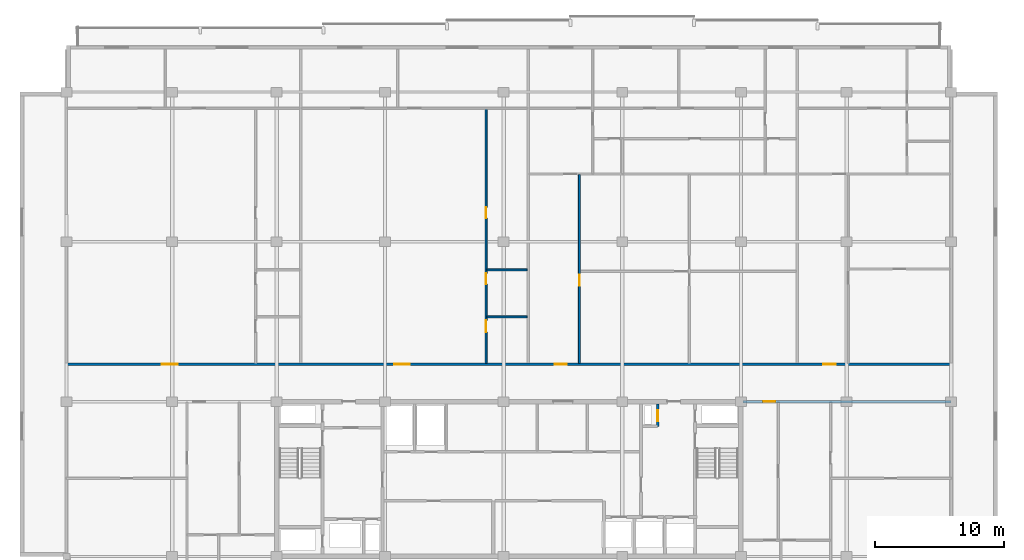
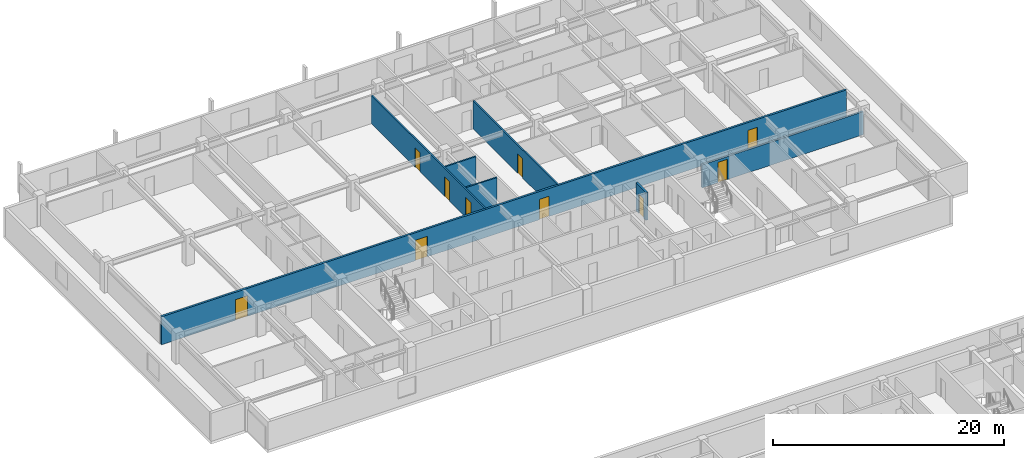
# One storey, part 13 of 22: 10 doors, 7 walls, 10 openings.
"""IFC4 building model written with IfcOpenShell, lengths in metres."""

from ifc_helpers import new_model, si_unit, direction, frame, frame_2d, origin, place, context, subcontext, project, spatial, rectangle, extrude, material, layer, layer_set, type_object, element, fill, save


model = new_model("IFC4")

# Units and contexts
model_context = context("Model", 3, precision=1e-05, world=origin(), true_north=direction((0.0, 1.0)))
body_context = subcontext(model_context, "Body", "Model", "MODEL_VIEW")
ifc_project = project(units=[si_unit("LENGTHUNIT", "METRE"), si_unit("AREAUNIT", "SQUARE_METRE"), si_unit("VOLUMEUNIT", "CUBIC_METRE"), si_unit("PLANEANGLEUNIT", "RADIAN"), si_unit("MASSUNIT", "GRAM", prefix="KILO")], contexts=[model_context])

# Site, building, storey
site_placement = place(None, origin())
site = spatial("IfcSite", under=ifc_project, at=site_placement, CompositionType="ELEMENT")
building_placement = place(site_placement, origin())
building = spatial("IfcBuilding", under=site, at=building_placement, Name="Korimba Cascade Residences", CompositionType="ELEMENT")
storey_placement = place(building_placement, frame((0.0, 0.0, 197.85009765625)))
storey = spatial("IfcBuildingStorey", under=building, at=storey_placement, Name="L57", CompositionType="ELEMENT", Elevation=197.85009765625)

# Wall, opening, door
ifc_material_1 = material(Name="Precast concrete C40/50", Category="concrete")
ifc_layer_1 = layer(ifc_material_1, 0.199951171875)
ifc_layer_set_1 = layer_set([ifc_layer_1], Name="Precast concrete C40/50")
wall_type_1 = type_object("IfcWallType", Name="WAL-IT-200", PredefinedType="PARTITIONING", material=ifc_layer_set_1)
wall_1_placement = place(storey_placement, frame((112.25, 67.199951171875, 0.0), z_axis=(0.0, 0.0, 1.0), x_axis=(1.0, 0.0, 0.0)))
wall_1 = element("IfcWall", 1, at=wall_1_placement, inside=storey, type_object=wall_type_1, Name="L57 Partition Wall WAL-L57-T1-FE-N", PredefinedType="PARTITIONING", context=body_context, shape_type="SweptSolid", body=[
    extrude(rectangle(XDim=16.14990234375, YDim=0.199951171875, at=frame_2d((8.074951171875, 0.0))), origin(), (0.0, 0.0, 1.0), 2.43310546875),
])
opening_1_placement = place(wall_1_placement, frame((1.580078125, 0.0, 0.0)))
opening_1 = element("IfcOpeningElement", 2, at=opening_1_placement, cuts=wall_1, Name="Opening D-UN1", PredefinedType="OPENING", context=body_context, shape_type="SweptSolid", body=[
    extrude(rectangle(XDim=0.949951171875, YDim=2.14990234375, at=frame_2d((0.47509765625, 1.074951171875))), frame((0.0, 0.10986328125, 0.0), z_axis=(0.0, -1.0, 0.0), x_axis=(1.0, 0.0, 0.0)), (0.0, 0.0, 1.0), 0.219970703125),
])
ifc_material_2 = material(Name="Fire-Rated Hardwood Apartment Entrance Door", Category="wood")
door_type_1 = type_object("IfcDoorType", Name="DR-FD60-950", OperationType="NOTDEFINED", PredefinedType="DOOR", material=ifc_material_2)
door_1_placement = place(opening_1_placement, origin())
door_1 = element("IfcDoor", 3, at=door_1_placement, inside=storey, type_object=door_type_1, Name="L57-T1-FE Entrance Door", OperationType="SINGLE_SWING_LEFT", OverallHeight=2.14990234375, OverallWidth=0.949951171875, PredefinedType="DOOR", context=body_context, shape_type="SweptSolid", body=[
    extrude(rectangle(XDim=0.949951171875, YDim=2.14990234375, at=frame_2d((0.47509765625, 1.074951171875))), frame((0.0, 0.02490234375, 0.0), z_axis=(0.0, -1.0, 0.0), x_axis=(1.0, 0.0, 0.0)), (0.0, 0.0, 1.0), 0.050048828125),
])
fill(opening_1, door_1)

# Wall, openings, doors
wall_2_placement = place(storey_placement, frame((59.800048828125, 70.10009765625, 0.0), z_axis=(0.0, 0.0, 1.0), x_axis=(1.0, 0.0, 0.0)))
wall_2 = element("IfcWall", 4, at=wall_2_placement, inside=storey, type_object=wall_type_1, Name="L57 Partition Wall WAL-L57-T1-CORN", PredefinedType="PARTITIONING", context=body_context, shape_type="SweptSolid", body=[
    extrude(rectangle(XDim=68.599853515625, YDim=0.199951171875, at=frame_2d((34.2998046875, 0.0))), origin(), (0.0, 0.0, 1.0), 2.969970703125),
])
opening_2_placement = place(wall_2_placement, frame((7.39404296875, 0.0, 0.0)))
opening_2 = element("IfcOpeningElement", 5, at=opening_2_placement, cuts=wall_2, Name="Opening D-AM1", PredefinedType="OPENING", context=body_context, shape_type="SweptSolid", body=[
    extrude(rectangle(XDim=1.219970703125, YDim=2.179931640625, at=frame_2d((0.60986328125, 1.08984375))), frame((0.0, 0.10986328125, 0.0), z_axis=(0.0, -1.0, 0.0), x_axis=(1.0, 0.0, 0.0)), (0.0, 0.0, 1.0), 0.219970703125),
])
opening_3_placement = place(wall_2_placement, frame((25.414794921875, 0.0, 0.0)))
opening_3 = element("IfcOpeningElement", 6, at=opening_3_placement, cuts=wall_2, Name="Opening D-AM1", PredefinedType="OPENING", context=body_context, shape_type="SweptSolid", body=[
    extrude(rectangle(XDim=1.219970703125, YDim=2.179931640625, at=frame_2d((0.60986328125, 1.08984375))), frame((0.0, 0.10986328125, 0.0), z_axis=(0.0, -1.0, 0.0), x_axis=(1.0, 0.0, 0.0)), (0.0, 0.0, 1.0), 0.219970703125),
])
opening_4_placement = place(wall_2_placement, frame((37.8564453125, 0.0, 0.0)))
opening_4 = element("IfcOpeningElement", 7, at=opening_4_placement, cuts=wall_2, Name="Opening D-UN1", PredefinedType="OPENING", context=body_context, shape_type="SweptSolid", body=[
    extrude(rectangle(XDim=0.949951171875, YDim=2.14990234375, at=frame_2d((0.47509765625, 1.074951171875))), frame((0.0, 0.10986328125, 0.0), z_axis=(0.0, -1.0, 0.0), x_axis=(1.0, 0.0, 0.0)), (0.0, 0.0, 1.0), 0.219970703125),
])
opening_5_placement = place(wall_2_placement, frame((58.697265625, 0.0, 0.0)))
opening_5 = element("IfcOpeningElement", 8, at=opening_5_placement, cuts=wall_2, Name="Opening D-UN1", PredefinedType="OPENING", context=body_context, shape_type="SweptSolid", body=[
    extrude(rectangle(XDim=0.949951171875, YDim=2.14990234375, at=frame_2d((0.47509765625, 1.074951171875))), frame((0.0, 0.10986328125, 0.0), z_axis=(0.0, -1.0, 0.0), x_axis=(1.0, 0.0, 0.0)), (0.0, 0.0, 1.0), 0.219970703125),
])
ifc_material_3 = material(Name="Fire-Rated Glazed Timber Suite Door", Category="wood")
door_type_2 = type_object("IfcDoorType", Name="DR-FD60-1200", OperationType="NOTDEFINED", PredefinedType="DOOR", material=ifc_material_3)
door_2_placement = place(opening_2_placement, origin())
door_2 = element("IfcDoor", 9, at=door_2_placement, inside=storey, type_object=door_type_2, Name="L57-T1-U01 Promenade Design Showroom Door", OperationType="SINGLE_SWING_RIGHT", OverallHeight=2.179931640625, OverallWidth=1.219970703125, PredefinedType="DOOR", context=body_context, shape_type="SweptSolid", body=[
    extrude(rectangle(XDim=1.219970703125, YDim=2.179931640625, at=frame_2d((0.60986328125, 1.08984375))), frame((0.0, 0.02490234375, 0.0), z_axis=(0.0, -1.0, 0.0), x_axis=(1.0, 0.0, 0.0)), (0.0, 0.0, 1.0), 0.050048828125),
])
fill(opening_2, door_2)
door_3_placement = place(opening_3_placement, origin())
door_3 = element("IfcDoor", 10, at=door_3_placement, inside=storey, type_object=door_type_2, Name="L57-T1-U02 Architecture Reading Library Door", OperationType="SINGLE_SWING_LEFT", OverallHeight=2.179931640625, OverallWidth=1.219970703125, PredefinedType="DOOR", context=body_context, shape_type="SweptSolid", body=[
    extrude(rectangle(XDim=1.219970703125, YDim=2.179931640625, at=frame_2d((0.60986328125, 1.08984375))), frame((0.0, 0.02490234375, 0.0), z_axis=(0.0, -1.0, 0.0), x_axis=(1.0, 0.0, 0.0)), (0.0, 0.0, 1.0), 0.050048828125),
])
fill(opening_3, door_3)
door_4_placement = place(opening_4_placement, origin())
door_4 = element("IfcDoor", 11, at=door_4_placement, inside=storey, type_object=door_type_1, Name="Unit L57-T1-U03 Entrance Door", OperationType="SINGLE_SWING_RIGHT", OverallHeight=2.14990234375, OverallWidth=0.949951171875, PredefinedType="DOOR", context=body_context, shape_type="SweptSolid", body=[
    extrude(rectangle(XDim=0.949951171875, YDim=2.14990234375, at=frame_2d((0.47509765625, 1.074951171875))), frame((0.0, 0.02490234375, 0.0), z_axis=(0.0, -1.0, 0.0), x_axis=(1.0, 0.0, 0.0)), (0.0, 0.0, 1.0), 0.050048828125),
])
fill(opening_4, door_4)
door_5_placement = place(opening_5_placement, origin())
door_5 = element("IfcDoor", 12, at=door_5_placement, inside=storey, type_object=door_type_1, Name="Unit L57-T1-U04 Entrance Door", OperationType="SINGLE_SWING_LEFT", OverallHeight=2.14990234375, OverallWidth=0.949951171875, PredefinedType="DOOR", context=body_context, shape_type="SweptSolid", body=[
    extrude(rectangle(XDim=0.949951171875, YDim=2.14990234375, at=frame_2d((0.47509765625, 1.074951171875))), frame((0.0, 0.02490234375, 0.0), z_axis=(0.0, -1.0, 0.0), x_axis=(1.0, 0.0, 0.0)), (0.0, 0.0, 1.0), 0.050048828125),
])
fill(opening_5, door_5)

# Walls
ifc_material_4 = material(Name="Insulated Acoustic Stud Partition", Category="gypsum")
ifc_layer_2 = layer(ifc_material_4, 0.14990234375)
ifc_layer_set_2 = layer_set([ifc_layer_2], Name="Insulated Acoustic Stud Partition")
wall_type_2 = type_object("IfcWallType", Name="WAL-PART-150", PredefinedType="PARTITIONING", material=ifc_layer_set_2)
for number, where, z_axis, x_axis, name in (
    (13, (92.4013671875, 73.77001953125, 0.0), (0.0, 0.0, 1.0), (1.0, 0.0, 0.0), "L57 Partition Wall WAL-L57-T1-U02-WCH"),
    (14, (92.4013671875, 77.419921875, 0.0), (0.0, 0.0, 1.0), (1.0, 0.0, 0.0), "L57 Partition Wall WAL-L57-T1-U02-WCH2"),
):
    element("IfcWall", number, at=place(storey_placement, frame(where, z_axis=z_axis, x_axis=x_axis)), inside=storey, type_object=wall_type_2, Name=name, PredefinedType="PARTITIONING", context=body_context, shape_type="SweptSolid", body=[
        extrude(rectangle(XDim=3.130126953125, YDim=0.14990234375, at=frame_2d((1.56494140625, 0.0))), origin(), (0.0, 0.0, 1.0), 2.969970703125),
    ])

# Wall, openings, doors
wall_3_placement = place(storey_placement, frame((92.34130859375, 70.159912109375, 0.0), z_axis=(0.0, 0.0, 1.0), x_axis=(0.0, 1.0, 0.0)))
wall_3 = element("IfcWall", 15, at=wall_3_placement, inside=storey, type_object=wall_type_2, Name="L57 Partition Wall WAL-L57-T1-U02-WCV", PredefinedType="PARTITIONING", context=body_context, shape_type="SweptSolid", body=[
    extrude(rectangle(XDim=19.72998046875, YDim=0.14990234375, at=frame_2d((9.864990234375, 0.0))), origin(), (0.0, 0.0, 1.0), 2.969970703125),
])
opening_6_placement = place(wall_3_placement, frame((2.406005859375, 0.0, 0.0)))
opening_6 = element("IfcOpeningElement", 16, at=opening_6_placement, cuts=wall_3, Name="Opening D-AC1", PredefinedType="OPENING", context=body_context, shape_type="SweptSolid", body=[
    extrude(rectangle(XDim=0.9599609375, YDim=2.10009765625, at=frame_2d((0.47998046875, 1.050048828125))), frame((0.0, 0.0849609375, 0.0), z_axis=(0.0, -1.0, 0.0), x_axis=(1.0, 0.0, 0.0)), (0.0, 0.0, 1.0), 0.169921875),
])
opening_7_placement = place(wall_3_placement, frame((6.132568359375, 0.0, 0.0)))
opening_7 = element("IfcOpeningElement", 17, at=opening_7_placement, cuts=wall_3, Name="Opening D-IN2", PredefinedType="OPENING", context=body_context, shape_type="SweptSolid", body=[
    extrude(rectangle(XDim=0.8798828125, YDim=2.06005859375, at=frame_2d((0.43994140625, 1.030029296875))), frame((0.0, 0.0849609375, 0.0), z_axis=(0.0, -1.0, 0.0), x_axis=(1.0, 0.0, 0.0)), (0.0, 0.0, 1.0), 0.169921875),
])
opening_8_placement = place(wall_3_placement, frame((11.2578125, 0.0, 0.0)))
opening_8 = element("IfcOpeningElement", 18, at=opening_8_placement, cuts=wall_3, Name="Opening D-BT1", PredefinedType="OPENING", context=body_context, shape_type="SweptSolid", body=[
    extrude(rectangle(XDim=0.840087890625, YDim=2.0400390625, at=frame_2d((0.419921875, 1.02001953125))), frame((0.0, 0.0849609375, 0.0), z_axis=(0.0, -1.0, 0.0), x_axis=(1.0, 0.0, 0.0)), (0.0, 0.0, 1.0), 0.169921875),
])
ifc_material_5 = material(Name="Accessible Acoustic Timber WC Door", Category="wood")
door_type_3 = type_object("IfcDoorType", Name="DR-ACC-950", OperationType="NOTDEFINED", PredefinedType="DOOR", material=ifc_material_5)
door_6_placement = place(opening_6_placement, origin())
door_6 = element("IfcDoor", 19, at=door_6_placement, inside=storey, type_object=door_type_3, Name="L57-T1-U02 Accessible WC Door", OperationType="SINGLE_SWING_LEFT", OverallHeight=2.10009765625, OverallWidth=0.9599609375, PredefinedType="DOOR", context=body_context, shape_type="SweptSolid", body=[
    extrude(rectangle(XDim=0.9599609375, YDim=2.10009765625, at=frame_2d((0.47998046875, 1.050048828125))), frame((0.0, 0.02490234375, 0.0), z_axis=(0.0, -1.0, 0.0), x_axis=(1.0, 0.0, 0.0)), (0.0, 0.0, 1.0), 0.050048828125),
])
fill(opening_6, door_6)
ifc_material_6 = material(Name="Moisture-Resistant Bathroom Timber Door", Category="wood")
door_type_4 = type_object("IfcDoorType", Name="DR-INT-850", OperationType="NOTDEFINED", PredefinedType="DOOR", material=ifc_material_6)
door_7_placement = place(opening_8_placement, origin())
door_7 = element("IfcDoor", 20, at=door_7_placement, inside=storey, type_object=door_type_4, Name="L57-T1-U02 Suite Store Door", OperationType="SINGLE_SWING_LEFT", OverallHeight=2.0400390625, OverallWidth=0.840087890625, PredefinedType="DOOR", context=body_context, shape_type="SweptSolid", body=[
    extrude(rectangle(XDim=0.840087890625, YDim=2.0400390625, at=frame_2d((0.419921875, 1.02001953125))), frame((0.0, 0.02490234375, 0.0), z_axis=(0.0, -1.0, 0.0), x_axis=(1.0, 0.0, 0.0)), (0.0, 0.0, 1.0), 0.050048828125),
])
fill(opening_8, door_7)
ifc_material_7 = material(Name="Acoustic Timber Bedroom Door", Category="wood")
door_type_5 = type_object("IfcDoorType", Name="DR-INT-880", OperationType="NOTDEFINED", PredefinedType="DOOR", material=ifc_material_7)
door_8_placement = place(opening_7_placement, origin())
door_8 = element("IfcDoor", 21, at=door_8_placement, inside=storey, type_object=door_type_5, Name="L57-T1-U02 Restroom WC Door", OperationType="SINGLE_SWING_RIGHT", OverallHeight=2.06005859375, OverallWidth=0.8798828125, PredefinedType="DOOR", context=body_context, shape_type="SweptSolid", body=[
    extrude(rectangle(XDim=0.8798828125, YDim=2.06005859375, at=frame_2d((0.43994140625, 1.030029296875))), frame((0.0, 0.02490234375, 0.0), z_axis=(0.0, -1.0, 0.0), x_axis=(1.0, 0.0, 0.0)), (0.0, 0.0, 1.0), 0.050048828125),
])
fill(opening_7, door_8)

# Wall, opening, door
wall_4_placement = place(storey_placement, frame((99.581298828125, 70.159912109375, 0.0), z_axis=(0.0, 0.0, 1.0), x_axis=(0.0, 1.0, 0.0)))
wall_4 = element("IfcWall", 22, at=wall_4_placement, inside=storey, type_object=wall_type_2, Name="L57 Partition Wall WAL-L57-T1-U03-FV", PredefinedType="PARTITIONING", context=body_context, shape_type="SweptSolid", body=[
    extrude(rectangle(XDim=14.650146484375, YDim=0.14990234375, at=frame_2d((7.3251953125, 0.0))), origin(), (0.0, 0.0, 1.0), 2.969970703125),
])
opening_9_placement = place(wall_4_placement, frame((6.014892578125, 0.0, 0.0)))
opening_9 = element("IfcOpeningElement", 23, at=opening_9_placement, cuts=wall_4, Name="Opening D-IN2", PredefinedType="OPENING", context=body_context, shape_type="SweptSolid", body=[
    extrude(rectangle(XDim=0.8798828125, YDim=2.06005859375, at=frame_2d((0.43994140625, 1.030029296875))), frame((0.0, 0.0849609375, 0.0), z_axis=(0.0, -1.0, 0.0), x_axis=(1.0, 0.0, 0.0)), (0.0, 0.0, 1.0), 0.169921875),
])
door_9_placement = place(opening_9_placement, origin())
door_9 = element("IfcDoor", 24, at=door_9_placement, inside=storey, type_object=door_type_5, Name="L57-T1-U03 Media Lounge Door", OperationType="SINGLE_SWING_LEFT", OverallHeight=2.06005859375, OverallWidth=0.8798828125, PredefinedType="DOOR", context=body_context, shape_type="SweptSolid", body=[
    extrude(rectangle(XDim=0.8798828125, YDim=2.06005859375, at=frame_2d((0.43994140625, 1.030029296875))), frame((0.0, 0.02490234375, 0.0), z_axis=(0.0, -1.0, 0.0), x_axis=(1.0, 0.0, 0.0)), (0.0, 0.0, 1.0), 0.050048828125),
])
fill(opening_9, door_9)

ifc_material_8 = material(Name="Concrete C40/50", Category="concrete")
ifc_layer_3 = layer(ifc_material_8, 0.199951171875)
ifc_layer_set_3 = layer_set([ifc_layer_3], Name="Concrete C40/50")
wall_type_3 = type_object("IfcWallType", Name="WAL-PART-200", PredefinedType="PARTITIONING", material=ifc_layer_set_3)
wall_5_placement = place(storey_placement, frame((105.64990234375, 65.280029296875, 0.0), z_axis=(0.0, 0.0, 1.0), x_axis=(0.0, 1.0, 0.0)))
wall_5 = element("IfcWall", 25, at=wall_5_placement, inside=storey, type_object=wall_type_3, Name="L57 Partition Wall CW-L57-T1-HYDW2E", PredefinedType="PARTITIONING", context=body_context, shape_type="SweptSolid", body=[
    extrude(rectangle(XDim=1.719970703125, YDim=0.199951171875, at=frame_2d((0.85986328125, 0.0))), origin(), (0.0, 0.0, 1.0), 2.969970703125),
])
opening_10_placement = place(wall_5_placement, frame((0.39990234375, 0.0, 0.0)))
opening_10 = element("IfcOpeningElement", 26, at=opening_10_placement, cuts=wall_5, Name="Opening D-RS1", PredefinedType="OPENING", context=body_context, shape_type="SweptSolid", body=[
    extrude(rectangle(XDim=0.85009765625, YDim=2.050048828125, at=frame_2d((0.425048828125, 1.02490234375))), frame((0.0, 0.10986328125, 0.0), z_axis=(0.0, -1.0, 0.0), x_axis=(1.0, 0.0, 0.0)), (0.0, 0.0, 1.0), 0.219970703125),
])
ifc_material_9 = material(Name="Fire-Rated Steel Riser Access Door", Category="steel")
door_type_6 = type_object("IfcDoorType", Name="DR-FD60-850", OperationType="NOTDEFINED", PredefinedType="DOOR", material=ifc_material_9)
door_10_placement = place(opening_10_placement, origin())
door_10 = element("IfcDoor", 27, at=door_10_placement, inside=storey, type_object=door_type_6, Name="L57 East Hydrant Door", OperationType="SINGLE_SWING_RIGHT", OverallHeight=2.050048828125, OverallWidth=0.85009765625, PredefinedType="DOOR", context=body_context, shape_type="SweptSolid", body=[
    extrude(rectangle(XDim=0.85009765625, YDim=2.050048828125, at=frame_2d((0.425048828125, 1.02490234375))), frame((0.0, 0.02490234375, 0.0), z_axis=(0.0, -1.0, 0.0), x_axis=(1.0, 0.0, 0.0)), (0.0, 0.0, 1.0), 0.050048828125),
])
fill(opening_10, door_10)

save(model, "model.ifc")
